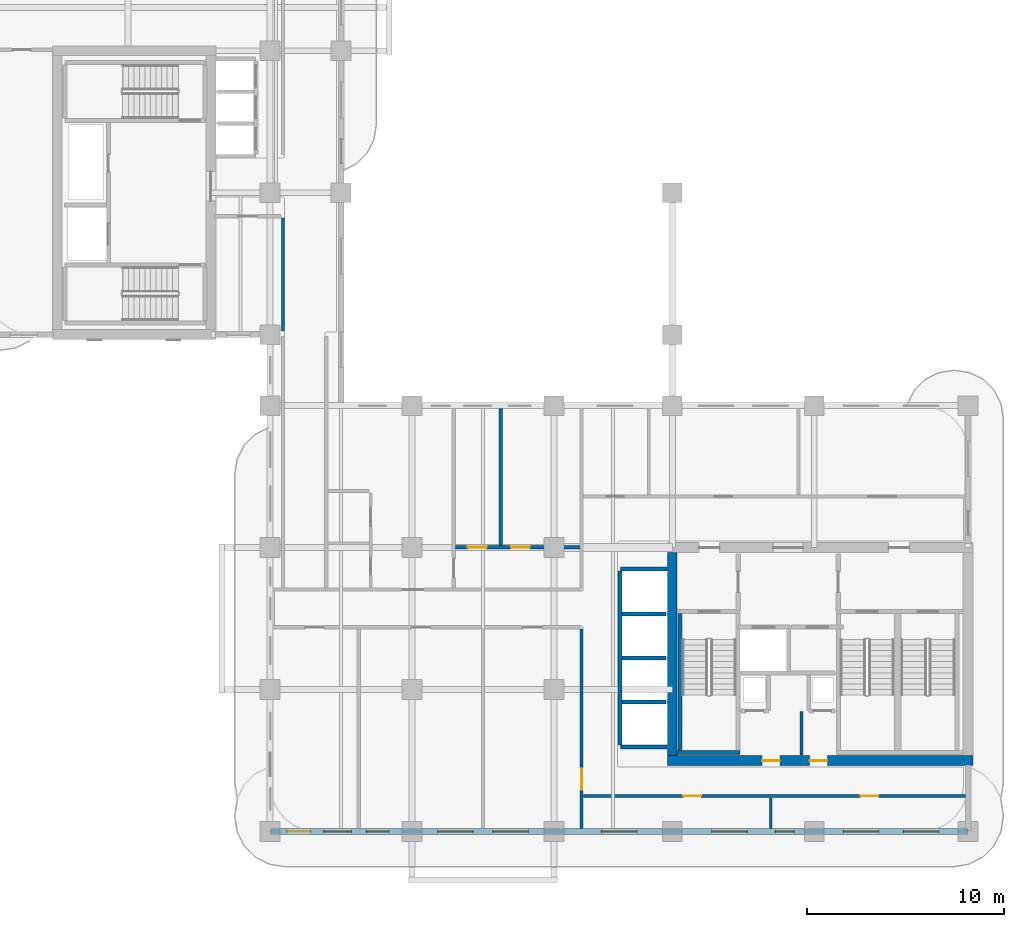
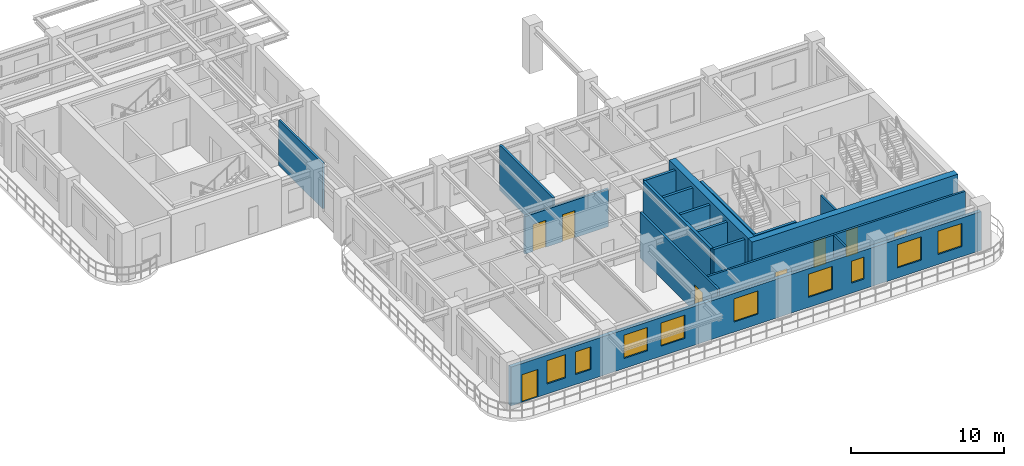
# One storey, part 5 of 13: 18 walls, 9 windows, 8 doors, 17 openings.
"""IFC4 building model written with IfcOpenShell, lengths in metres."""

from ifc_helpers import new_model, si_unit, derived_unit, direction, frame, frame_2d, origin, place, context, subcontext, project, spatial, rectangle, extrude, source, transform, mapped, material, layer, layer_set, type_object, type_shapes, element, fill, save


model = new_model("IFC4")

# Units and contexts
model_context = context("Model", 3, precision=1e-05, world=origin(), true_north=direction((0.0, 1.0)))
body_context = subcontext(model_context, "Body", "Model", "MODEL_VIEW")
ifc_project = project(units=[si_unit("LENGTHUNIT", "METRE"), si_unit("AREAUNIT", "SQUARE_METRE"), si_unit("VOLUMEUNIT", "CUBIC_METRE"), si_unit("PLANEANGLEUNIT", "RADIAN"), si_unit("MASSUNIT", "GRAM", prefix="KILO"), si_unit("THERMODYNAMICTEMPERATUREUNIT", "KELVIN"), si_unit("POWERUNIT", "WATT"), derived_unit("THERMALTRANSMITTANCEUNIT", [(si_unit("POWERUNIT", "WATT"), 1), (si_unit("AREAUNIT", "SQUARE_METRE"), -1), (si_unit("THERMODYNAMICTEMPERATUREUNIT", "KELVIN"), -1)])], contexts=[model_context])

# Site, building, storey
site_placement = place(None, origin())
site = spatial("IfcSite", under=ifc_project, at=site_placement, CompositionType="ELEMENT")
building_placement = place(site_placement, origin())
building = spatial("IfcBuilding", under=site, at=building_placement, Name="Zahravan Archway Hotel and Residences", CompositionType="ELEMENT")
storey_placement = place(building_placement, frame((0.0, 0.0, 181.10009765625)))
storey = spatial("IfcBuildingStorey", under=building, at=storey_placement, Name="L45", CompositionType="ELEMENT", Elevation=181.10009765625)

# Wall, openings, doors
ifc_material_1 = material(Name="Concrete C60/75", Category="concrete")
ifc_layer_1 = layer(ifc_material_1, 0.5, Name="Concrete C60/75", Category="concrete")
ifc_layer_set_1 = layer_set([ifc_layer_1], Name="Concrete C60/75")
wall_type_1 = type_object("IfcWallType", Name="CW-CORE-500", PredefinedType="SHEAR", material=ifc_layer_set_1)
wall_1_placement = place(storey_placement, frame((34.550048828125, 3.60009765625, 0.0), z_axis=(0.0, 0.0, 1.0), x_axis=(1.0, 0.0, 0.0)))
wall_1 = element("IfcWall", 1, at=wall_1_placement, inside=storey, type_object=wall_type_1, Name="L45 Core A Shear S Wall 500 mm", PredefinedType="SHEAR", context=body_context, shape_type="SweptSolid", body=[
    extrude(rectangle(XDim=15.5, YDim=0.5, at=frame_2d((7.75, 0.0))), origin(), (0.0, 0.0, 1.0), 3.849853515625),
])
opening_1_placement = place(wall_1_placement, frame((4.800048828125, 0.0, 0.0)))
opening_1 = element("IfcOpeningElement", 2, at=opening_1_placement, cuts=wall_1, Name="Opening FD-R1", PredefinedType="OPENING", context=body_context, shape_type="SweptSolid", body=[
    extrude(rectangle(XDim=0.89990234375, YDim=2.10009765625, at=frame_2d((0.449951171875, 1.050048828125))), frame((0.0, 0.260009765625, 0.0), z_axis=(0.0, -1.0, 0.0), x_axis=(1.0, 0.0, 0.0)), (0.0, 0.0, 1.0), 0.52001953125),
])
opening_2_placement = place(wall_1_placement, frame((7.219970703125, 0.0, 0.0)))
opening_2 = element("IfcOpeningElement", 3, at=opening_2_placement, cuts=wall_1, Name="Opening FD-R1", PredefinedType="OPENING", context=body_context, shape_type="SweptSolid", body=[
    extrude(rectangle(XDim=0.89990234375, YDim=2.10009765625, at=frame_2d((0.449951171875, 1.050048828125))), frame((0.0, 0.260009765625, 0.0), z_axis=(0.0, -1.0, 0.0), x_axis=(1.0, 0.0, 0.0)), (0.0, 0.0, 1.0), 0.52001953125),
])
ifc_material_2 = material(Name="Fire-Rated Painted Steel", Category="steel")
door_type_1 = type_object("IfcDoorType", Name="FD-RISER-900", OperationType="NOTDEFINED", PredefinedType="DOOR", material=ifc_material_2)
shared_shape_1 = source(origin(), body_context, "Body", "SweptSolid", [
    extrude(rectangle(XDim=0.89990234375, YDim=2.10009765625, at=frame_2d((0.449951171875, 1.050048828125))), frame((0.0, 0.02490234375, 0.0), z_axis=(0.0, -1.0, 0.0), x_axis=(1.0, 0.0, 0.0)), (0.0, 0.0, 1.0), 0.050048828125),
])
type_shapes(door_type_1, [shared_shape_1])
door_1_placement = place(opening_1_placement, origin())
door_1 = element("IfcDoor", 4, at=door_1_placement, inside=storey, type_object=door_type_1, Name="L45 Service Pantry Door", OperationType="SINGLE_SWING_RIGHT", OverallHeight=2.10009765625, OverallWidth=0.89990234375, PredefinedType="DOOR", context=body_context, shape_type="MappedRepresentation", body=[
    mapped(shared_shape_1, transform((0.0, 0.0, 0.0), scale=1.0)),
])
fill(opening_1, door_1)
door_2_placement = place(opening_2_placement, origin())
door_2 = element("IfcDoor", 5, at=door_2_placement, inside=storey, type_object=door_type_1, Name="L45 Fibre ELV Riser Door", OperationType="SINGLE_SWING_LEFT", OverallHeight=2.10009765625, OverallWidth=0.89990234375, PredefinedType="DOOR", context=body_context, shape_type="MappedRepresentation", body=[
    mapped(shared_shape_1, transform((0.0, 0.0, 0.0), scale=1.0)),
])
fill(opening_2, door_2)

# Wall
wall_2_placement = place(storey_placement, frame((34.800048828125, 3.85009765625, 0.0), z_axis=(0.0, 0.0, 1.0), x_axis=(0.0, 1.0, 0.0)))
element("IfcWall", 6, at=wall_2_placement, inside=storey, type_object=wall_type_1, Name="L45 Core A Shear W Wall 500 mm", PredefinedType="SHEAR", context=body_context, shape_type="SweptSolid", body=[
    extrude(rectangle(XDim=10.2998046875, YDim=0.5, at=frame_2d((5.14990234375, 0.0))), origin(), (0.0, 0.0, 1.0), 3.849853515625),
])

# Wall, openings, door, windows
ifc_material_3 = material(Name="Honed Red-Ochre Sandstone & Insulated Block", Category="masonry")
ifc_layer_2 = layer(ifc_material_3, 0.280029296875, Name="Honed Red-Ochre Sandstone & Insulated Block", Category="masonry")
ifc_layer_set_2 = layer_set([ifc_layer_2], Name="Honed Red-Ochre Sandstone & Insulated Block")
wall_type_2 = type_object("IfcWallType", Name="EW-LOG-280", PredefinedType="SOLIDWALL", material=ifc_layer_set_2)
wall_3_placement = place(storey_placement, frame((14.39990234375, 0.0, 0.0), z_axis=(0.0, 0.0, 1.0), x_axis=(1.0, 0.0, 0.0)))
wall_3 = element("IfcWall", 7, at=wall_3_placement, inside=storey, type_object=wall_type_2, Name="L45 Exterior Sandstone Wall WA-S", PredefinedType="SOLIDWALL", context=body_context, shape_type="SweptSolid", body=[
    extrude(rectangle(XDim=35.400146484375, YDim=0.280029296875, at=frame_2d((17.7001953125, 0.0))), origin(), (0.0, 0.0, 1.0), 3.0849609375),
])
opening_3_placement = place(wall_3_placement, frame((0.85009765625, 0.0, 0.0)))
opening_3 = element("IfcOpeningElement", 8, at=opening_3_placement, cuts=wall_3, Name="Opening ED-BL1", PredefinedType="OPENING", context=body_context, shape_type="SweptSolid", body=[
    extrude(rectangle(XDim=1.199951171875, YDim=2.199951171875, at=frame_2d((0.60009765625, 1.10009765625))), frame((0.0, 0.14990234375, 0.0), z_axis=(0.0, -1.0, 0.0), x_axis=(1.0, 0.0, 0.0)), (0.0, 0.0, 1.0), 0.300048828125),
])
opening_4_placement = place(wall_3_placement, frame((2.720947265625, 0.0, 0.800048828125)))
opening_4 = element("IfcOpeningElement", 9, at=opening_4_placement, cuts=wall_3, Name="Opening W-03", PredefinedType="OPENING", context=body_context, shape_type="SweptSolid", body=[
    extrude(rectangle(XDim=1.39990234375, YDim=1.85009765625, at=frame_2d((0.699951171875, 0.925048828125))), frame((0.0, 0.14990234375, 0.0), z_axis=(0.0, -1.0, 0.0), x_axis=(1.0, 0.0, 0.0)), (0.0, 0.0, 1.0), 0.300048828125),
])
opening_5_placement = place(wall_3_placement, frame((4.87890625, 0.0, 0.800048828125)))
opening_5 = element("IfcOpeningElement", 10, at=opening_5_placement, cuts=wall_3, Name="Opening W-05", PredefinedType="OPENING", context=body_context, shape_type="SweptSolid", body=[
    extrude(rectangle(XDim=1.14990234375, YDim=1.800048828125, at=frame_2d((0.574951171875, 0.89990234375))), frame((0.0, 0.14990234375, 0.0), z_axis=(0.0, -1.0, 0.0), x_axis=(1.0, 0.0, 0.0)), (0.0, 0.0, 1.0), 0.300048828125),
])
opening_6_placement = place(wall_3_placement, frame((8.49609375, 0.0, 0.800048828125)))
opening_6 = element("IfcOpeningElement", 11, at=opening_6_placement, cuts=wall_3, Name="Opening W-02", PredefinedType="OPENING", context=body_context, shape_type="SweptSolid", body=[
    extrude(rectangle(XDim=1.800048828125, YDim=1.85009765625, at=frame_2d((0.89990234375, 0.925048828125))), frame((0.0, 0.14990234375, 0.0), z_axis=(0.0, -1.0, 0.0), x_axis=(1.0, 0.0, 0.0)), (0.0, 0.0, 1.0), 0.300048828125),
])
opening_7_placement = place(wall_3_placement, frame((11.303955078125, 0.0, 0.800048828125)))
opening_7 = element("IfcOpeningElement", 12, at=opening_7_placement, cuts=wall_3, Name="Opening W-02", PredefinedType="OPENING", context=body_context, shape_type="SweptSolid", body=[
    extrude(rectangle(XDim=1.800048828125, YDim=1.85009765625, at=frame_2d((0.89990234375, 0.925048828125))), frame((0.0, 0.14990234375, 0.0), z_axis=(0.0, -1.0, 0.0), x_axis=(1.0, 0.0, 0.0)), (0.0, 0.0, 1.0), 0.300048828125),
])
opening_8_placement = place(wall_3_placement, frame((16.803955078125, 0.0, 0.800048828125)))
opening_8 = element("IfcOpeningElement", 13, at=opening_8_placement, cuts=wall_3, Name="Opening W-02", PredefinedType="OPENING", context=body_context, shape_type="SweptSolid", body=[
    extrude(rectangle(XDim=1.800048828125, YDim=1.85009765625, at=frame_2d((0.89990234375, 0.925048828125))), frame((0.0, 0.14990234375, 0.0), z_axis=(0.0, -1.0, 0.0), x_axis=(1.0, 0.0, 0.0)), (0.0, 0.0, 1.0), 0.300048828125),
])
opening_9_placement = place(wall_3_placement, frame((22.39599609375, 0.0, 0.800048828125)))
opening_9 = element("IfcOpeningElement", 14, at=opening_9_placement, cuts=wall_3, Name="Opening W-02", PredefinedType="OPENING", context=body_context, shape_type="SweptSolid", body=[
    extrude(rectangle(XDim=1.800048828125, YDim=1.85009765625, at=frame_2d((0.89990234375, 0.925048828125))), frame((0.0, 0.14990234375, 0.0), z_axis=(0.0, -1.0, 0.0), x_axis=(1.0, 0.0, 0.0)), (0.0, 0.0, 1.0), 0.300048828125),
])
opening_10_placement = place(wall_3_placement, frame((25.62890625, 0.0, 0.800048828125)))
opening_10 = element("IfcOpeningElement", 15, at=opening_10_placement, cuts=wall_3, Name="Opening W-04", PredefinedType="OPENING", context=body_context, shape_type="SweptSolid", body=[
    extrude(rectangle(XDim=0.949951171875, YDim=1.75, at=frame_2d((0.47509765625, 0.875))), frame((0.0, 0.14990234375, 0.0), z_axis=(0.0, -1.0, 0.0), x_axis=(1.0, 0.0, 0.0)), (0.0, 0.0, 1.0), 0.300048828125),
])
opening_11_placement = place(wall_3_placement, frame((29.074951171875, 0.0, 0.800048828125)))
opening_11 = element("IfcOpeningElement", 16, at=opening_11_placement, cuts=wall_3, Name="Opening W-02", PredefinedType="OPENING", context=body_context, shape_type="SweptSolid", body=[
    extrude(rectangle(XDim=1.800048828125, YDim=1.85009765625, at=frame_2d((0.89990234375, 0.925048828125))), frame((0.0, 0.14990234375, 0.0), z_axis=(0.0, -1.0, 0.0), x_axis=(1.0, 0.0, 0.0)), (0.0, 0.0, 1.0), 0.300048828125),
])
opening_12_placement = place(wall_3_placement, frame((32.125, 0.0, 0.800048828125)))
opening_12 = element("IfcOpeningElement", 17, at=opening_12_placement, cuts=wall_3, Name="Opening W-02", PredefinedType="OPENING", context=body_context, shape_type="SweptSolid", body=[
    extrude(rectangle(XDim=1.800048828125, YDim=1.85009765625, at=frame_2d((0.89990234375, 0.925048828125))), frame((0.0, 0.14990234375, 0.0), z_axis=(0.0, -1.0, 0.0), x_axis=(1.0, 0.0, 0.0)), (0.0, 0.0, 1.0), 0.300048828125),
])
ifc_material_4 = material(Name="Bronze-Anodized Glazed Aluminium", Category="aluminium")
door_type_2 = type_object("IfcDoorType", Name="ED-BALC-1200", OperationType="SLIDING_TO_LEFT", PredefinedType="DOOR", material=ifc_material_4)
shared_shape_2 = source(origin(), body_context, "Body", "SweptSolid", [
    extrude(rectangle(XDim=1.199951171875, YDim=2.199951171875, at=frame_2d((0.60009765625, 1.10009765625))), frame((0.0, 0.02490234375, 0.0), z_axis=(0.0, -1.0, 0.0), x_axis=(1.0, 0.0, 0.0)), (0.0, 0.0, 1.0), 0.050048828125),
])
type_shapes(door_type_2, [shared_shape_2])
door_3_placement = place(opening_3_placement, origin())
door_3 = element("IfcDoor", 18, at=door_3_placement, inside=storey, type_object=door_type_2, Name="L45 Outdoor Access Sliding Door (SLB-BAL-L45-SA)", OperationType="SLIDING_TO_LEFT", OverallHeight=2.199951171875, OverallWidth=1.199951171875, PredefinedType="DOOR", context=body_context, shape_type="MappedRepresentation", body=[
    mapped(shared_shape_2, transform((0.0, 0.0, 0.0), scale=1.0)),
])
fill(opening_3, door_3)
ifc_material_5 = material(Name="Bronze-Anodized Thermal-Break Aluminium & Low-E Glass", Category="aluminium")
window_type_1 = type_object("IfcWindowType", Name="WIN-TWR-1400", PartitioningType="SINGLE_PANEL", PredefinedType="WINDOW", material=ifc_material_5)
shared_shape_3 = source(origin(), body_context, "Body", "SweptSolid", [
    extrude(rectangle(XDim=1.39990234375, YDim=1.85009765625, at=frame_2d((0.699951171875, 0.925048828125))), frame((0.0, 0.030029296875, 0.0), z_axis=(0.0, -1.0, 0.0), x_axis=(1.0, 0.0, 0.0)), (0.0, 0.0, 1.0), 0.06005859375),
])
type_shapes(window_type_1, [shared_shape_3])
window_1_placement = place(opening_4_placement, origin())
window_1 = element("IfcWindow", 19, at=window_1_placement, inside=storey, type_object=window_type_1, Name="L45 Loggia Window 01", OverallHeight=1.85009765625, OverallWidth=1.39990234375, PartitioningType="SINGLE_PANEL", PredefinedType="WINDOW", context=body_context, shape_type="MappedRepresentation", body=[
    mapped(shared_shape_3, transform((0.0, 0.0, 0.0), scale=1.0)),
])
fill(opening_4, window_1)
window_type_2 = type_object("IfcWindowType", Name="WIN-NAR-950", PartitioningType="SINGLE_PANEL", PredefinedType="WINDOW", material=ifc_material_5)
shared_shape_4 = source(origin(), body_context, "Body", "SweptSolid", [
    extrude(rectangle(XDim=0.949951171875, YDim=1.75, at=frame_2d((0.47509765625, 0.875))), frame((0.0, 0.030029296875, 0.0), z_axis=(0.0, -1.0, 0.0), x_axis=(1.0, 0.0, 0.0)), (0.0, 0.0, 1.0), 0.06005859375),
])
type_shapes(window_type_2, [shared_shape_4])
window_2_placement = place(opening_10_placement, origin())
window_2 = element("IfcWindow", 20, at=window_2_placement, inside=storey, type_object=window_type_2, Name="L45 Loggia Window 07", OverallHeight=1.75, OverallWidth=0.949951171875, PartitioningType="SINGLE_PANEL", PredefinedType="WINDOW", context=body_context, shape_type="MappedRepresentation", body=[
    mapped(shared_shape_4, transform((0.0, 0.0, 0.0), scale=1.0)),
])
fill(opening_10, window_2)
window_type_3 = type_object("IfcWindowType", Name="WIN-TWR-1800", PartitioningType="DOUBLE_PANEL_VERTICAL", PredefinedType="WINDOW", material=ifc_material_5)
shared_shape_5 = source(origin(), body_context, "Body", "SweptSolid", [
    extrude(rectangle(XDim=1.800048828125, YDim=1.85009765625, at=frame_2d((0.89990234375, 0.925048828125))), frame((0.0, 0.030029296875, 0.0), z_axis=(0.0, -1.0, 0.0), x_axis=(1.0, 0.0, 0.0)), (0.0, 0.0, 1.0), 0.06005859375),
])
type_shapes(window_type_3, [shared_shape_5])
window_3_placement = place(opening_6_placement, origin())
window_3 = element("IfcWindow", 21, at=window_3_placement, inside=storey, type_object=window_type_3, Name="L45 Loggia Window 03", OverallHeight=1.85009765625, OverallWidth=1.800048828125, PartitioningType="DOUBLE_PANEL_VERTICAL", PredefinedType="WINDOW", context=body_context, shape_type="MappedRepresentation", body=[
    mapped(shared_shape_5, transform((0.0, 0.0, 0.0), scale=1.0)),
])
fill(opening_6, window_3)
window_4_placement = place(opening_7_placement, origin())
window_4 = element("IfcWindow", 22, at=window_4_placement, inside=storey, type_object=window_type_3, Name="L45 Loggia Window 04", OverallHeight=1.85009765625, OverallWidth=1.800048828125, PartitioningType="DOUBLE_PANEL_VERTICAL", PredefinedType="WINDOW", context=body_context, shape_type="MappedRepresentation", body=[
    mapped(shared_shape_5, transform((0.0, 0.0, 0.0), scale=1.0)),
])
fill(opening_7, window_4)
window_5_placement = place(opening_8_placement, origin())
window_5 = element("IfcWindow", 23, at=window_5_placement, inside=storey, type_object=window_type_3, Name="L45 Loggia Window 05", OverallHeight=1.85009765625, OverallWidth=1.800048828125, PartitioningType="DOUBLE_PANEL_VERTICAL", PredefinedType="WINDOW", context=body_context, shape_type="MappedRepresentation", body=[
    mapped(shared_shape_5, transform((0.0, 0.0, 0.0), scale=1.0)),
])
fill(opening_8, window_5)
window_6_placement = place(opening_9_placement, origin())
window_6 = element("IfcWindow", 24, at=window_6_placement, inside=storey, type_object=window_type_3, Name="L45 Loggia Window 06", OverallHeight=1.85009765625, OverallWidth=1.800048828125, PartitioningType="DOUBLE_PANEL_VERTICAL", PredefinedType="WINDOW", context=body_context, shape_type="MappedRepresentation", body=[
    mapped(shared_shape_5, transform((0.0, 0.0, 0.0), scale=1.0)),
])
fill(opening_9, window_6)
window_7_placement = place(opening_11_placement, origin())
window_7 = element("IfcWindow", 25, at=window_7_placement, inside=storey, type_object=window_type_3, Name="L45 Loggia Window 08", OverallHeight=1.85009765625, OverallWidth=1.800048828125, PartitioningType="DOUBLE_PANEL_VERTICAL", PredefinedType="WINDOW", context=body_context, shape_type="MappedRepresentation", body=[
    mapped(shared_shape_5, transform((0.0, 0.0, 0.0), scale=1.0)),
])
fill(opening_11, window_7)
window_8_placement = place(opening_12_placement, origin())
window_8 = element("IfcWindow", 26, at=window_8_placement, inside=storey, type_object=window_type_3, Name="L45 Loggia Window 09", OverallHeight=1.85009765625, OverallWidth=1.800048828125, PartitioningType="DOUBLE_PANEL_VERTICAL", PredefinedType="WINDOW", context=body_context, shape_type="MappedRepresentation", body=[
    mapped(shared_shape_5, transform((0.0, 0.0, 0.0), scale=1.0)),
])
fill(opening_12, window_8)
window_type_4 = type_object("IfcWindowType", Name="WIN-TWR-1150", PartitioningType="SINGLE_PANEL", PredefinedType="WINDOW", material=ifc_material_5)
shared_shape_6 = source(origin(), body_context, "Body", "SweptSolid", [
    extrude(rectangle(XDim=1.14990234375, YDim=1.800048828125, at=frame_2d((0.574951171875, 0.89990234375))), frame((0.0, 0.030029296875, 0.0), z_axis=(0.0, -1.0, 0.0), x_axis=(1.0, 0.0, 0.0)), (0.0, 0.0, 1.0), 0.06005859375),
])
type_shapes(window_type_4, [shared_shape_6])
window_9_placement = place(opening_5_placement, origin())
window_9 = element("IfcWindow", 27, at=window_9_placement, inside=storey, type_object=window_type_4, Name="L45 Loggia Window 02", OverallHeight=1.800048828125, OverallWidth=1.14990234375, PartitioningType="SINGLE_PANEL", PredefinedType="WINDOW", context=body_context, shape_type="MappedRepresentation", body=[
    mapped(shared_shape_6, transform((0.0, 0.0, 0.0), scale=1.0)),
])
fill(opening_5, window_9)

# Wall, opening, door
ifc_material_6 = material(Name="Fire-Rated Gypsum & Concrete Block", Category="concrete")
ifc_layer_3 = layer(ifc_material_6, 0.159912109375, Name="Fire-Rated Gypsum & Concrete Block", Category="concrete")
ifc_layer_set_3 = layer_set([ifc_layer_3], Name="Fire-Rated Gypsum & Concrete Block")
wall_type_3 = type_object("IfcWallType", Name="PW-CORR-160", PredefinedType="PARTITIONING", material=ifc_layer_set_3)
wall_4_placement = place(storey_placement, frame((30.199951171875, 0.14794921875, 0.0), z_axis=(0.0, 0.0, 1.0), x_axis=(0.0, 1.0, 0.0)))
wall_4 = element("IfcWall", 28, at=wall_4_placement, inside=storey, type_object=wall_type_3, Name="L45 Partition WA-SRW", PredefinedType="PARTITIONING", context=body_context, shape_type="SweptSolid", body=[
    extrude(rectangle(XDim=10.112060546875, YDim=0.159912109375, at=frame_2d((5.05615234375, 0.0))), origin(), (0.0, 0.0, 1.0), 3.599853515625),
])
opening_13_placement = place(wall_4_placement, frame((1.97705078125, 0.0, 0.0)))
opening_13 = element("IfcOpeningElement", 29, at=opening_13_placement, cuts=wall_4, Name="Opening FD-L2", PredefinedType="OPENING", context=body_context, shape_type="SweptSolid", body=[
    extrude(rectangle(XDim=1.050048828125, YDim=2.14990234375, at=frame_2d((0.52490234375, 1.074951171875))), frame((0.0, 0.08984375, 0.0), z_axis=(0.0, -1.0, 0.0), x_axis=(1.0, 0.0, 0.0)), (0.0, 0.0, 1.0), 0.179931640625),
])
door_type_3 = type_object("IfcDoorType", Name="FD-LOBBY-1100", OperationType="NOTDEFINED", PredefinedType="DOOR", material=ifc_material_2)
shared_shape_7 = source(origin(), body_context, "Body", "SweptSolid", [
    extrude(rectangle(XDim=1.050048828125, YDim=2.14990234375, at=frame_2d((0.52490234375, 1.074951171875))), frame((0.0, 0.02490234375, 0.0), z_axis=(0.0, -1.0, 0.0), x_axis=(1.0, 0.0, 0.0)), (0.0, 0.0, 1.0), 0.050048828125),
])
type_shapes(door_type_3, [shared_shape_7])
door_4_placement = place(opening_13_placement, origin())
door_4 = element("IfcDoor", 30, at=door_4_placement, inside=storey, type_object=door_type_3, Name="L45 South Riser Corridor Door", OperationType="SINGLE_SWING_LEFT", OverallHeight=2.14990234375, OverallWidth=1.050048828125, PredefinedType="DOOR", context=body_context, shape_type="MappedRepresentation", body=[
    mapped(shared_shape_7, transform((0.0, 0.0, 0.0), scale=1.0)),
])
fill(opening_13, door_4)

# Wall, openings, doors
wall_5_placement = place(storey_placement, frame((30.2900390625, 1.800048828125, 0.0), z_axis=(0.0, 0.0, 1.0), x_axis=(1.0, 0.0, 0.0)))
wall_5 = element("IfcWall", 31, at=wall_5_placement, inside=storey, type_object=wall_type_3, Name="L45 Partition WA-SRS", PredefinedType="PARTITIONING", context=body_context, shape_type="SweptSolid", body=[
    extrude(rectangle(XDim=19.369873046875, YDim=0.159912109375, at=frame_2d((9.68505859375, 0.0))), origin(), (0.0, 0.0, 1.0), 3.599853515625),
])
opening_14_placement = place(wall_5_placement, frame((5.07421875, 0.0, 0.0)))
opening_14 = element("IfcOpeningElement", 32, at=opening_14_placement, cuts=wall_5, Name="Opening D-I2", PredefinedType="OPENING", context=body_context, shape_type="SweptSolid", body=[
    extrude(rectangle(XDim=0.89990234375, YDim=2.14990234375, at=frame_2d((0.449951171875, 1.074951171875))), frame((0.0, 0.08984375, 0.0), z_axis=(0.0, -1.0, 0.0), x_axis=(1.0, 0.0, 0.0)), (0.0, 0.0, 1.0), 0.179931640625),
])
opening_15_placement = place(wall_5_placement, frame((14.06005859375, 0.0, 0.0)))
opening_15 = element("IfcOpeningElement", 33, at=opening_15_placement, cuts=wall_5, Name="Opening D-I2", PredefinedType="OPENING", context=body_context, shape_type="SweptSolid", body=[
    extrude(rectangle(XDim=0.89990234375, YDim=2.14990234375, at=frame_2d((0.449951171875, 1.074951171875))), frame((0.0, 0.08984375, 0.0), z_axis=(0.0, -1.0, 0.0), x_axis=(1.0, 0.0, 0.0)), (0.0, 0.0, 1.0), 0.179931640625),
])
ifc_material_7 = material(Name="Hardwood Veneer Timber", Category="wood")
door_type_4 = type_object("IfcDoorType", Name="ID-INT-900", OperationType="NOTDEFINED", PredefinedType="DOOR", material=ifc_material_7)
shared_shape_8 = source(origin(), body_context, "Body", "SweptSolid", [
    extrude(rectangle(XDim=0.89990234375, YDim=2.14990234375, at=frame_2d((0.449951171875, 1.074951171875))), frame((0.0, 0.02490234375, 0.0), z_axis=(0.0, -1.0, 0.0), x_axis=(1.0, 0.0, 0.0)), (0.0, 0.0, 1.0), 0.050048828125),
])
type_shapes(door_type_4, [shared_shape_8])
door_5_placement = place(opening_14_placement, origin())
door_5 = element("IfcDoor", 34, at=door_5_placement, inside=storey, type_object=door_type_4, Name="L45 South Study Door", OperationType="SINGLE_SWING_RIGHT", OverallHeight=2.14990234375, OverallWidth=0.89990234375, PredefinedType="DOOR", context=body_context, shape_type="MappedRepresentation", body=[
    mapped(shared_shape_8, transform((0.0, 0.0, 0.0), scale=1.0)),
])
fill(opening_14, door_5)
door_6_placement = place(opening_15_placement, origin())
door_6 = element("IfcDoor", 35, at=door_6_placement, inside=storey, type_object=door_type_4, Name="L45 South Pantry Door", OperationType="SINGLE_SWING_LEFT", OverallHeight=2.14990234375, OverallWidth=0.89990234375, PredefinedType="DOOR", context=body_context, shape_type="MappedRepresentation", body=[
    mapped(shared_shape_8, transform((0.0, 0.0, 0.0), scale=1.0)),
])
fill(opening_15, door_6)

# Walls
wall_6_placement = place(storey_placement, frame((15.050048828125, 25.389892578125, 0.0), z_axis=(0.0, 0.0, 1.0), x_axis=(0.0, 1.0, 0.0)))
element("IfcWall", 36, at=wall_6_placement, inside=storey, type_object=wall_type_3, Name="L45 Partition FB1-E", PredefinedType="PARTITIONING", context=body_context, shape_type="SweptSolid", body=[
    extrude(rectangle(XDim=5.72021484375, YDim=0.159912109375, at=frame_2d((2.860107421875, 0.0))), origin(), (0.0, 0.0, 1.0), 3.599853515625),
])
ifc_material_8 = material(Name="Acoustic Stud Partition")
ifc_layer_4 = layer(ifc_material_8, 0.125, Name="Acoustic Stud Partition")
ifc_layer_set_4 = layer_set([ifc_layer_4], Name="Acoustic Stud Partition")
wall_type_4 = type_object("IfcWallType", Name="PW-INT-125", PredefinedType="PARTITIONING", material=ifc_layer_set_4)
wall_7_placement = place(storey_placement, frame((39.800048828125, 0.14794921875, 0.0), z_axis=(0.0, 0.0, 1.0), x_axis=(0.0, 1.0, 0.0)))
element("IfcWall", 37, at=wall_7_placement, inside=storey, type_object=wall_type_4, Name="L45 Partition S-DIV1", PredefinedType="PARTITIONING", context=body_context, shape_type="SweptSolid", body=[
    extrude(rectangle(XDim=1.56201171875, YDim=0.125, at=frame_2d((0.781005859375, 0.0))), origin(), (0.0, 0.0, 1.0), 3.599853515625),
])
ifc_layer_5 = layer(ifc_material_6, 0.199951171875, Name="Fire-Rated Gypsum & Concrete Block", Category="concrete")
ifc_layer_set_5 = layer_set([ifc_layer_5], Name="Fire-Rated Gypsum & Concrete Block")
wall_type_5 = type_object("IfcWallType", Name="PW-SHAFT-200", PredefinedType="PARTITIONING", material=ifc_layer_set_5)
for number, where, z_axis, x_axis, name in (
    (38, (32.159912109375, 4.280029296875, 0.0), (0.0, 0.0, 1.0), (1.0, 0.0, 0.0), "L45 Partition B3-S"),
    (39, (32.159912109375, 13.320068359375, 0.0), (0.0, 0.0, 1.0), (1.0, 0.0, 0.0), "L45 Partition B3-N"),
):
    element("IfcWall", number, at=place(storey_placement, frame(where, z_axis=z_axis, x_axis=x_axis)), inside=storey, type_object=wall_type_5, Name=name, PredefinedType="PARTITIONING", context=body_context, shape_type="SweptSolid", body=[
        extrude(rectangle(XDim=2.360107421875, YDim=0.199951171875, at=frame_2d((1.18017578125, 0.0))), origin(), (0.0, 0.0, 1.0), 3.599853515625),
    ])
wall_8_placement = place(storey_placement, frame((32.14990234375, 4.389892578125, 0.0), z_axis=(0.0, 0.0, 1.0), x_axis=(0.0, 1.0, 0.0)))
element("IfcWall", 40, at=wall_8_placement, inside=storey, type_object=wall_type_5, Name="L45 Partition B3-W", PredefinedType="PARTITIONING", context=body_context, shape_type="SweptSolid", body=[
    extrude(rectangle(XDim=8.820068359375, YDim=0.199951171875, at=frame_2d((4.41015625, 0.0))), origin(), (0.0, 0.0, 1.0), 3.599853515625),
])
for number, where, z_axis, x_axis, name in (
    (41, (32.260009765625, 6.56005859375, 0.0), (0.0, 0.0, 1.0), (1.0, 0.0, 0.0), "L45 Partition B3-D"),
    (42, (32.260009765625, 8.800048828125, 0.0), (0.0, 0.0, 1.0), (1.0, 0.0, 0.0), "L45 Partition B3-D"),
    (43, (32.260009765625, 11.0400390625, 0.0), (0.0, 0.0, 1.0), (1.0, 0.0, 0.0), "L45 Partition B3-D"),
):
    element("IfcWall", number, at=place(storey_placement, frame(where, z_axis=z_axis, x_axis=x_axis)), inside=storey, type_object=wall_type_5, Name=name, PredefinedType="PARTITIONING", context=body_context, shape_type="SweptSolid", body=[
        extrude(rectangle(XDim=2.22998046875, YDim=0.199951171875, at=frame_2d((1.114990234375, 0.0))), origin(), (0.0, 0.0, 1.0), 3.599853515625),
    ])

# Wall, openings, doors
ifc_layer_6 = layer(ifc_material_8, 0.169921875, Name="Acoustic Stud Partition")
ifc_layer_set_6 = layer_set([ifc_layer_6], Name="Acoustic Stud Partition")
wall_type_6 = type_object("IfcWallType", Name="PW-UNIT-170", PredefinedType="PARTITIONING", material=ifc_layer_set_6)
wall_9_placement = place(storey_placement, frame((23.81005859375, 14.419921875, 0.0), z_axis=(0.0, 0.0, 1.0), x_axis=(1.0, 0.0, 0.0)))
wall_9 = element("IfcWall", 44, at=wall_9_placement, inside=storey, type_object=wall_type_6, Name="L45 Partition FL-HN1-GH", PredefinedType="PARTITIONING", context=body_context, shape_type="SweptSolid", body=[
    extrude(rectangle(XDim=6.300048828125, YDim=0.169921875, at=frame_2d((3.14990234375, 0.0))), origin(), (0.0, 0.0, 1.0), 2.98486328125),
])
opening_16_placement = place(wall_9_placement, frame((0.625, 0.0, 0.0)))
opening_16 = element("IfcOpeningElement", 45, at=opening_16_placement, cuts=wall_9, Name="Opening D-I1", PredefinedType="OPENING", context=body_context, shape_type="SweptSolid", body=[
    extrude(rectangle(XDim=0.949951171875, YDim=2.14990234375, at=frame_2d((0.47509765625, 1.074951171875))), frame((0.0, 0.094970703125, 0.0), z_axis=(0.0, -1.0, 0.0), x_axis=(1.0, 0.0, 0.0)), (0.0, 0.0, 1.0), 0.18994140625),
])
opening_17_placement = place(wall_9_placement, frame((2.81494140625, 0.0, 0.0)))
opening_17 = element("IfcOpeningElement", 46, at=opening_17_placement, cuts=wall_9, Name="Opening D-I1", PredefinedType="OPENING", context=body_context, shape_type="SweptSolid", body=[
    extrude(rectangle(XDim=0.949951171875, YDim=2.14990234375, at=frame_2d((0.47509765625, 1.074951171875))), frame((0.0, 0.094970703125, 0.0), z_axis=(0.0, -1.0, 0.0), x_axis=(1.0, 0.0, 0.0)), (0.0, 0.0, 1.0), 0.18994140625),
])
door_type_5 = type_object("IfcDoorType", Name="ID-INT-950", OperationType="NOTDEFINED", PredefinedType="DOOR", material=ifc_material_7)
shared_shape_9 = source(origin(), body_context, "Body", "SweptSolid", [
    extrude(rectangle(XDim=0.949951171875, YDim=2.14990234375, at=frame_2d((0.47509765625, 1.074951171875))), frame((0.0, 0.02490234375, 0.0), z_axis=(0.0, -1.0, 0.0), x_axis=(1.0, 0.0, 0.0)), (0.0, 0.0, 1.0), 0.050048828125),
])
type_shapes(door_type_5, [shared_shape_9])
door_7_placement = place(opening_16_placement, origin())
door_7 = element("IfcDoor", 47, at=door_7_placement, inside=storey, type_object=door_type_5, Name="L45 Flat HN1 Bedroom 1 Door", OperationType="SINGLE_SWING_LEFT", OverallHeight=2.14990234375, OverallWidth=0.949951171875, PredefinedType="DOOR", context=body_context, shape_type="MappedRepresentation", body=[
    mapped(shared_shape_9, transform((0.0, 0.0, 0.0), scale=1.0)),
])
fill(opening_16, door_7)
door_8_placement = place(opening_17_placement, origin())
door_8 = element("IfcDoor", 48, at=door_8_placement, inside=storey, type_object=door_type_5, Name="L45 Flat HN1 Bedroom 2 Door", OperationType="SINGLE_SWING_LEFT", OverallHeight=2.14990234375, OverallWidth=0.949951171875, PredefinedType="DOOR", context=body_context, shape_type="MappedRepresentation", body=[
    mapped(shared_shape_9, transform((0.0, 0.0, 0.0), scale=1.0)),
])
fill(opening_17, door_8)

# Walls
wall_10_placement = place(storey_placement, frame((26.10009765625, 14.510009765625, 0.0), z_axis=(0.0, 0.0, 1.0), x_axis=(0.0, 1.0, 0.0)))
element("IfcWall", 49, at=wall_10_placement, inside=storey, type_object=wall_type_6, Name="L45 Partition FL-HN1-BD1", PredefinedType="PARTITIONING", context=body_context, shape_type="SweptSolid", body=[
    extrude(rectangle(XDim=6.949951171875, YDim=0.169921875, at=frame_2d((3.47509765625, 0.0))), origin(), (0.0, 0.0, 1.0), 3.599853515625),
])
ifc_material_9 = material(Name="Moisture-Resistant Blockwork", Category="masonry")
ifc_layer_7 = layer(ifc_material_9, 0.139892578125, Name="Moisture-Resistant Blockwork", Category="masonry")
ifc_layer_set_7 = layer_set([ifc_layer_7], Name="Moisture-Resistant Blockwork")
wall_type_7 = type_object("IfcWallType", Name="PW-WET-140", PredefinedType="PARTITIONING", material=ifc_layer_set_7)
wall_11_placement = place(storey_placement, frame((41.35009765625, 3.8701171875, 0.0), z_axis=(0.0, 0.0, 1.0), x_axis=(0.0, 1.0, 0.0)))
element("IfcWall", 50, at=wall_11_placement, inside=storey, type_object=wall_type_7, Name="L45 Partition CA-CV3", PredefinedType="PARTITIONING", context=body_context, shape_type="SweptSolid", body=[
    extrude(rectangle(XDim=2.2099609375, YDim=0.139892578125, at=frame_2d((1.10498046875, 0.0))), origin(), (0.0, 0.0, 1.0), 3.599853515625),
])
ifc_material_10 = material(Name="Concrete C50/60", Category="concrete")
ifc_layer_8 = layer(ifc_material_10, 0.199951171875, Name="Concrete C50/60", Category="concrete")
ifc_layer_set_8 = layer_set([ifc_layer_8], Name="Concrete C50/60")
wall_type_8 = type_object("IfcWallType", Name="SW-STAIR-200", PredefinedType="SHEAR", material=ifc_layer_set_8)
wall_12_placement = place(storey_placement, frame((35.050048828125, 4.0, 0.0), z_axis=(0.0, 0.0, 1.0), x_axis=(1.0, 0.0, 0.0)))
element("IfcWall", 51, at=wall_12_placement, inside=storey, type_object=wall_type_8, Name="L45 Stairwell RC Wall CA-SA1S", PredefinedType="SHEAR", context=body_context, shape_type="SweptSolid", body=[
    extrude(rectangle(XDim=3.18994140625, YDim=0.199951171875, at=frame_2d((1.594970703125, 0.0))), origin(), (0.0, 0.0, 1.0), 3.849853515625),
])
wall_13_placement = place(storey_placement, frame((35.199951171875, 4.10009765625, 0.0), z_axis=(0.0, 0.0, 1.0), x_axis=(0.0, 1.0, 0.0)))
element("IfcWall", 52, at=wall_13_placement, inside=storey, type_object=wall_type_8, Name="L45 Stairwell RC Wall CA-SA1W", PredefinedType="SHEAR", context=body_context, shape_type="SweptSolid", body=[
    extrude(rectangle(XDim=6.949951171875, YDim=0.199951171875, at=frame_2d((3.47509765625, 0.0))), origin(), (0.0, 0.0, 1.0), 3.849853515625),
])

save(model, "model.ifc")
